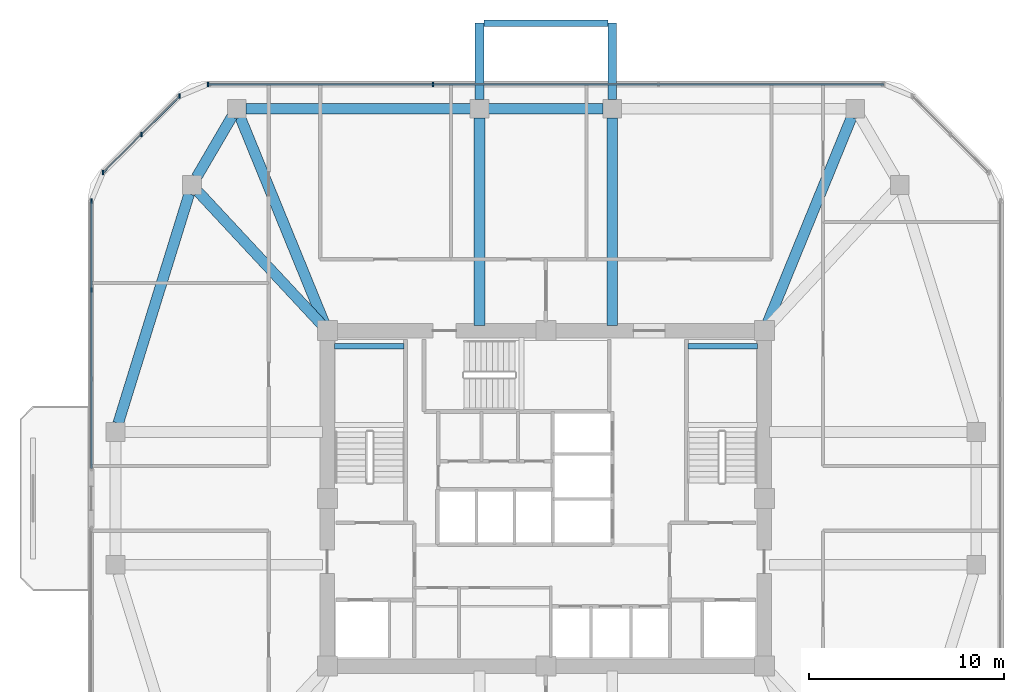
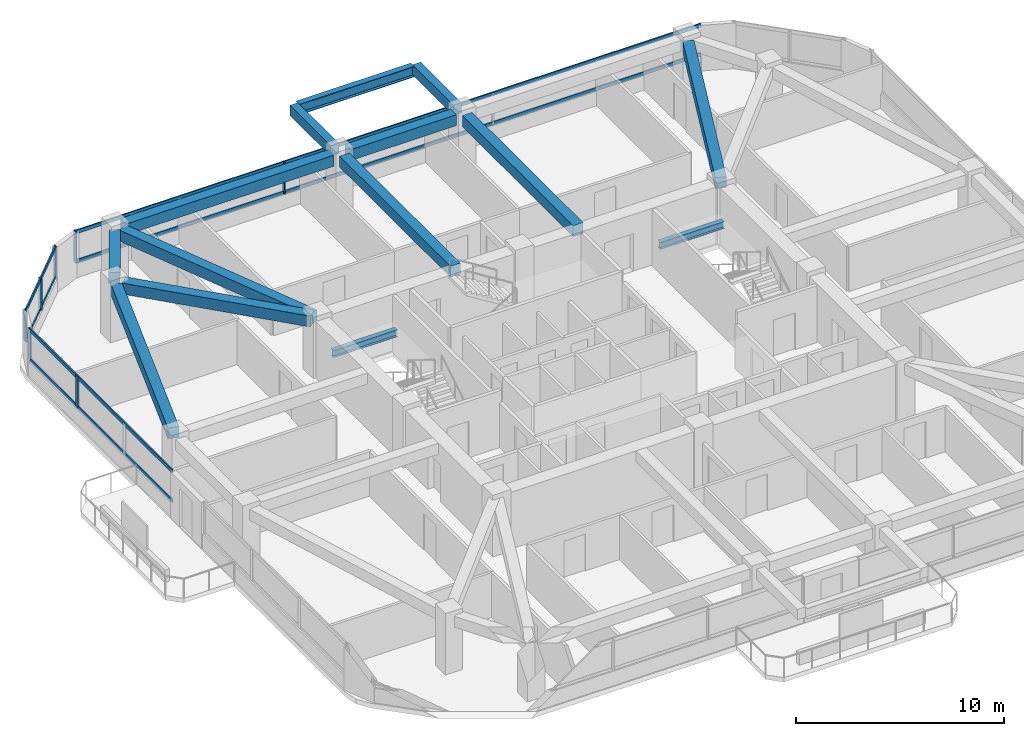
# One storey, part 4 of 12: 14 beams, 13 members, 3 elements without a shape of their own.
"""IFC4 building model written with IfcOpenShell, lengths in metres."""

import ifcopenshell
import ifcopenshell.guid

model = None  # the IFC model being written
_history = None  # IfcOwnerHistory: only IFC2X3 demands one
_inside = {}  # id of a spatial element -> (the spatial element, [elements in it])
_under = {}  # id of a project, library or spatial element -> (it, [spatial elements below it])
_declared = {}  # id of a project -> (the project, [libraries it declares])
_typed = {}  # id of a type object -> (the type object, [elements of that type])
_made_of = {}  # id of a material, layer set ... -> (it, [elements and type objects made of it])


def new_model(schema):
    """Start an empty IFC model of exactly this schema.

    Asked for "IFC4X3", IfcOpenShell would pick the latest addendum, in which some entities
    have other attributes; the version numbers below select the first issue.
    IFC2X3 requires an IfcOwnerHistory on every rooted entity: one is made here for all.
    """
    global model, _history
    if schema == "IFC4X3":
        model = ifcopenshell.file(schema_version=(4, 3, 0, 0))
    else:
        model = ifcopenshell.file(schema=schema)
    _inside.clear()
    _under.clear()
    _declared.clear()
    _typed.clear()
    _made_of.clear()
    _history = None
    if model.schema == "IFC2X3":
        org = make("IfcOrganization", Name="unknown")
        user = make(
            "IfcPersonAndOrganization",
            ThePerson=make("IfcPerson", FamilyName="unknown"),
            TheOrganization=org,
        )
        app = make(
            "IfcApplication",
            ApplicationDeveloper=org,
            Version="unknown",
            ApplicationFullName="unknown",
            ApplicationIdentifier="unknown",
        )
        _history = make(
            "IfcOwnerHistory",
            OwningUser=user,
            OwningApplication=app,
            ChangeAction="ADDED",
            CreationDate=0,
        )
    return model


def make(cls, **values):
    """One entity of the class cls with the attributes given. An attribute that is None is left unset."""
    return model.create_entity(
        cls, **{name: value for name, value in values.items() if value is not None}
    )


def rooted(cls, **values):
    """An entity with a GlobalId (a new one), such as an element, a storey or a relation."""
    return make(cls, GlobalId=ifcopenshell.guid.new(), OwnerHistory=_history, **values)


def si_unit(unit_type, name, prefix=None):
    """IfcSIUnit, for example si_unit("LENGTHUNIT", "METRE", prefix="MILLI")."""
    return make("IfcSIUnit", UnitType=unit_type, Prefix=prefix, Name=name)


def derived_unit(unit_type, elements):
    """IfcDerivedUnit: a product of units, each with its exponent."""
    return make(
        "IfcDerivedUnit",
        Elements=[
            make("IfcDerivedUnitElement", Unit=unit, Exponent=power)
            for unit, power in elements
        ],
        UnitType=unit_type,
    )


def assignment(units):
    """IfcUnitAssignment: the units of a project."""
    return None if units is None else make("IfcUnitAssignment", Units=units)


def point(xyz):
    """IfcCartesianPoint."""
    return None if xyz is None else make("IfcCartesianPoint", Coordinates=xyz)


def direction(xyz):
    """IfcDirection."""
    return None if xyz is None else make("IfcDirection", DirectionRatios=xyz)


def frame(location, z_axis=None, x_axis=None):
    """IfcAxis2Placement3D, a coordinate frame: its origin and axes. An axis left out is left unset."""
    return make(
        "IfcAxis2Placement3D",
        Location=point(location),
        Axis=direction(z_axis),
        RefDirection=direction(x_axis),
    )


def frame_2d(location, x_axis=None):
    """IfcAxis2Placement2D, a coordinate frame in the plane: its origin and x axis."""
    return make(
        "IfcAxis2Placement2D", Location=point(location), RefDirection=direction(x_axis)
    )


def origin():
    """The frame at (0, 0, 0) with its axes left unset."""
    return frame((0.0, 0.0, 0.0))


def origin_2d():
    """The frame at (0, 0) in the plane with its x axis left unset."""
    return frame_2d((0.0, 0.0))


def place(relative_to, where):
    """IfcLocalPlacement: puts the frame where relative to a parent placement (None: the world)."""
    return make(
        "IfcLocalPlacement", PlacementRelTo=relative_to, RelativePlacement=where
    )


def context(
    kind, dimensions, precision=None, world=None, true_north=None, identifier=None
):
    """IfcGeometricRepresentationContext, for example the 3D "Model" context."""
    return make(
        "IfcGeometricRepresentationContext",
        ContextIdentifier=identifier,
        ContextType=kind,
        CoordinateSpaceDimension=dimensions,
        Precision=precision,
        WorldCoordinateSystem=world,
        TrueNorth=true_north,
    )


def subcontext(parent, identifier, kind, view, scale=None):
    """IfcGeometricRepresentationSubContext, for example "Body" below "Model"."""
    return make(
        "IfcGeometricRepresentationSubContext",
        ContextIdentifier=identifier,
        ContextType=kind,
        ParentContext=parent,
        TargetScale=scale,
        TargetView=view,
    )


def project(units=None, contexts=None):
    """IfcProject with its units and contexts."""
    return rooted(
        "IfcProject",
        Name="project",
        RepresentationContexts=contexts,
        UnitsInContext=assignment(units),
    )


def spatial(cls, under=None, at=None, **own):
    """A site, building, storey or space (cls), placed at a placement, below another one or the project."""
    s = rooted(cls, ObjectPlacement=at, **own)
    if under is not None:
        _under.setdefault(under.id(), (under, []))[1].append(s)
    return s


def profile(cls, at=None, kind="AREA", **sizes):
    """A parametric profile (cls). Its sizes go by their IFC names, for example OverallWidth=200.0."""
    return make(cls, ProfileType=kind, Position=at, **sizes)


def rectangle(**sizes):
    """IfcRectangleProfileDef."""
    return profile("IfcRectangleProfileDef", **sizes)


def i_section(**sizes):
    """IfcIShapeProfileDef."""
    return profile("IfcIShapeProfileDef", **sizes)


def extrude(swept, where, along, depth):
    """IfcExtrudedAreaSolid: the profile swept, set in the frame where, extruded along a direction by depth."""
    return make(
        "IfcExtrudedAreaSolid",
        SweptArea=swept,
        Position=where,
        ExtrudedDirection=direction(along),
        Depth=depth,
    )


def shape(context_of_items, identifier, shape_type, items):
    """IfcShapeRepresentation: the items that make up one representation, for example the "Body"."""
    return make(
        "IfcShapeRepresentation",
        ContextOfItems=context_of_items,
        RepresentationIdentifier=identifier,
        RepresentationType=shape_type,
        Items=items,
    )


def material(Name=None, Category=None):
    """IfcMaterial."""
    return make("IfcMaterial", Name=Name, Category=Category)


def material_profile(
    of_material, cross_section, Name=None, Category=None, Priority=None
):
    """IfcMaterialProfile: a cross section and its material."""
    return make(
        "IfcMaterialProfile",
        Name=Name,
        Material=of_material,
        Profile=cross_section,
        Priority=Priority,
        Category=Category,
    )


def profile_set(profiles, Name=None, composite=None):
    """IfcMaterialProfileSet."""
    return make(
        "IfcMaterialProfileSet",
        Name=Name,
        MaterialProfiles=profiles,
        CompositeProfile=composite,
    )


def made_of(thing, what):
    """Note that an element or type object is made of a material, layer set ...; save() writes the relation."""
    if what is not None:
        _made_of.setdefault(what.id(), (what, []))[1].append(thing)
    return thing


def type_object(cls, material=None, **own):
    """A type object (cls), such as IfcWallType, which elements share."""
    return made_of(rooted(cls, **own), material)


def element(
    cls,
    number,
    at=None,
    inside=None,
    cuts=None,
    type_object=None,
    material=None,
    context=None,
    identifier="Body",
    shape_type=None,
    held_by="IfcProductDefinitionShape",
    body=None,
    shapes=None,
    **own,
):
    """One element of the class cls, such as IfcWall. Its Tag is "e" and its number.

    at: its placement. inside: the storey or other place that contains it. cuts: it is an
    opening in that element (IfcRelVoidsElement). A single representation is given by context,
    identifier, shape_type and body (its items); several are given by shapes. held_by: the class
    of the entity that holds the representations. save() writes the other relations.
    """
    e = rooted(cls, Tag="e%d" % number, ObjectPlacement=at, **own)
    if body is not None:
        shapes = [shape(context, identifier, shape_type, body)]
    if shapes is not None:
        e.Representation = make(held_by, Representations=shapes)
    if inside is not None:
        _inside.setdefault(inside.id(), (inside, []))[1].append(e)
    if cuts is not None:
        rooted(
            "IfcRelVoidsElement", RelatingBuildingElement=cuts, RelatedOpeningElement=e
        )
    if type_object is not None:
        _typed.setdefault(type_object.id(), (type_object, []))[1].append(e)
    return made_of(e, material)


def aggregate(whole, parts):
    """IfcRelAggregates: a whole, such as a stair, and the parts it consists of."""
    return rooted("IfcRelAggregates", RelatingObject=whole, RelatedObjects=parts)


def save(model, path):
    """Write the relations noted so far, then the file.

    IfcRelAggregates (storeys below a building ...), IfcRelContainedInSpatialStructure (elements
    in a storey), IfcRelDefinesByType, IfcRelAssociatesMaterial and IfcRelDeclares: one each for
    every whole, place, type object, material and project.
    """
    for whole, parts in _under.values():
        aggregate(whole, parts)
    for where, things in _inside.values():
        rooted(
            "IfcRelContainedInSpatialStructure",
            RelatedElements=things,
            RelatingStructure=where,
        )
    for kind, things in _typed.values():
        rooted("IfcRelDefinesByType", RelatedObjects=things, RelatingType=kind)
    for what, things in _made_of.values():
        rooted("IfcRelAssociatesMaterial", RelatedObjects=things, RelatingMaterial=what)
    for by, libraries in _declared.values():
        rooted("IfcRelDeclares", RelatingContext=by, RelatedDefinitions=libraries)
    model.write(path)


model = new_model("IFC4")

# Units and contexts
model_context = context("Model", 3, precision=1e-05, world=origin(), true_north=direction((0.0, 1.0)))
body_context = subcontext(model_context, "Body", "Model", "MODEL_VIEW")
ifc_project = project(units=[si_unit("LENGTHUNIT", "METRE"), si_unit("AREAUNIT", "SQUARE_METRE"), si_unit("VOLUMEUNIT", "CUBIC_METRE"), si_unit("PLANEANGLEUNIT", "RADIAN"), si_unit("MASSUNIT", "GRAM", prefix="KILO"), derived_unit("THERMALTRANSMITTANCEUNIT", [(si_unit("POWERUNIT", "WATT"), 1), (si_unit("LENGTHUNIT", "METRE"), -2), (si_unit("THERMODYNAMICTEMPERATUREUNIT", "KELVIN"), -1)])], contexts=[model_context])

# Site, building, storey
site_placement = place(None, origin())
site = spatial("IfcSite", under=ifc_project, at=site_placement, CompositionType="ELEMENT")
building_placement = place(site_placement, origin())
building = spatial("IfcBuilding", under=site, at=building_placement, Name="Koralith Skygarden Medical Center", CompositionType="ELEMENT")
storey_placement = place(building_placement, frame((0.0, 0.0, 149.219970703125)))
storey = spatial("IfcBuildingStorey", under=building, at=storey_placement, Name="L38", CompositionType="ELEMENT", Elevation=149.219970703125)

# Curtain wall, members
ifc_material_1 = material(Name="Clear Laminated Glass", Category="glass")
curtain_wall_type = type_object("IfcCurtainWallType", Name="CW-4 Zone 3 Waist High-Wind Curtain Wall", PredefinedType="NOTDEFINED", material=ifc_material_1)
curtain_wall_1_placement = place(storey_placement, origin())
curtain_wall_1 = element("IfcCurtainWall", 1, at=curtain_wall_1_placement, inside=storey, type_object=curtain_wall_type, Name="Curtain Wall CW-L38-N", PredefinedType="NOTDEFINED")
ifc_material_2 = material(Name="Aluminium 6063-T6", Category="aluminium")
ifc_material_profile_1 = material_profile(ifc_material_2, rectangle(XDim=0.076904296875, YDim=0.22998046875, at=origin_2d()), Name="MUL77X230")
ifc_profile_set_1 = profile_set([ifc_material_profile_1], Name="Aluminium 6063-T6")
member_type_1 = type_object("IfcMemberType", Name="CW-4 Extruded Mullion 77x230", PredefinedType="MULLION", material=ifc_profile_set_1)
member_1_placement = place(storey_placement, frame((31.22412109375, 47.1201171875, 0.85009765625), z_axis=(0.0, 0.0, 1.0), x_axis=(1.0, 0.0, 0.0)))
member_1 = element("IfcMember", 2, at=member_1_placement, type_object=member_type_1, Name="CW-L38-N Mullion 3", PredefinedType="MULLION", context=body_context, shape_type="SweptSolid", body=[
    extrude(rectangle(XDim=0.076904296875, YDim=0.22998046875, at=origin_2d()), origin(), (0.0, 0.0, 1.0), 1.81982421875),
])
member_2_placement = place(storey_placement, frame((19.6708984375, 47.1201171875, 0.85009765625), z_axis=(0.0, 0.0, 1.0), x_axis=(1.0, 0.0, 0.0)))
member_2 = element("IfcMember", 3, at=member_2_placement, type_object=member_type_1, Name="CW-L38-N Mullion 4", PredefinedType="MULLION", context=body_context, shape_type="SweptSolid", body=[
    extrude(rectangle(XDim=0.076904296875, YDim=0.22998046875, at=origin_2d()), origin(), (0.0, 0.0, 1.0), 1.81982421875),
])

curtain_wall_2_placement = place(storey_placement, origin())
curtain_wall_2 = element("IfcCurtainWall", 4, at=curtain_wall_2_placement, inside=storey, type_object=curtain_wall_type, Name="Curtain Wall CW-L38-NW", PredefinedType="NOTDEFINED")
member_3_placement = place(storey_placement, frame((18.219970703125, 46.51904296875, 0.85009765625), z_axis=(0.0, 0.0, 1.0), x_axis=(1.0, 0.0, 0.0)))
member_3 = element("IfcMember", 5, at=member_3_placement, type_object=member_type_1, Name="CW-L38-NW Mullion 1", PredefinedType="MULLION", context=body_context, shape_type="SweptSolid", body=[
    extrude(rectangle(XDim=0.076904296875, YDim=0.22998046875, at=origin_2d()), origin(), (0.0, 0.0, 1.0), 1.81982421875),
])
member_4_placement = place(storey_placement, frame((16.258056640625, 44.556884765625, 0.85009765625), z_axis=(0.0, 0.0, 1.0), x_axis=(1.0, 0.0, 0.0)))
member_4 = element("IfcMember", 6, at=member_4_placement, type_object=member_type_1, Name="CW-L38-NW Mullion 2", PredefinedType="MULLION", context=body_context, shape_type="SweptSolid", body=[
    extrude(rectangle(XDim=0.076904296875, YDim=0.22998046875, at=origin_2d()), origin(), (0.0, 0.0, 1.0), 1.81982421875),
])
member_5_placement = place(storey_placement, frame((14.297119140625, 42.595947265625, 0.85009765625), z_axis=(0.0, 0.0, 1.0), x_axis=(1.0, 0.0, 0.0)))
member_5 = element("IfcMember", 7, at=member_5_placement, type_object=member_type_1, Name="CW-L38-NW Mullion 3", PredefinedType="MULLION", context=body_context, shape_type="SweptSolid", body=[
    extrude(rectangle(XDim=0.076904296875, YDim=0.22998046875, at=origin_2d()), origin(), (0.0, 0.0, 1.0), 1.81982421875),
])

curtain_wall_3_placement = place(storey_placement, origin())
curtain_wall_3 = element("IfcCurtainWall", 8, at=curtain_wall_3_placement, inside=storey, type_object=curtain_wall_type, Name="Curtain Wall CW-L38-W-L", PredefinedType="NOTDEFINED")
member_6_placement = place(storey_placement, frame((13.696044921875, 41.14501953125, 0.85009765625), z_axis=(0.0, 0.0, 1.0), x_axis=(1.0, 0.0, 0.0)))
member_6 = element("IfcMember", 9, at=member_6_placement, type_object=member_type_1, Name="CW-L38-W-L Mullion 1", PredefinedType="MULLION", context=body_context, shape_type="SweptSolid", body=[
    extrude(rectangle(XDim=0.076904296875, YDim=0.22998046875, at=origin_2d()), origin(), (0.0, 0.0, 1.0), 1.81982421875),
])
member_7_placement = place(storey_placement, frame((13.696044921875, 36.576904296875, 0.85009765625), z_axis=(0.0, 0.0, 1.0), x_axis=(1.0, 0.0, 0.0)))
member_7 = element("IfcMember", 10, at=member_7_placement, type_object=member_type_1, Name="CW-L38-W-L Mullion 2", PredefinedType="MULLION", context=body_context, shape_type="SweptSolid", body=[
    extrude(rectangle(XDim=0.076904296875, YDim=0.22998046875, at=origin_2d()), origin(), (0.0, 0.0, 1.0), 1.81982421875),
])

# Member
ifc_material_profile_2 = material_profile(ifc_material_2, rectangle(XDim=0.072021484375, YDim=0.20703125, at=origin_2d()), Name="TRN72X207")
ifc_profile_set_2 = profile_set([ifc_material_profile_2], Name="Aluminium 6063-T6")
member_type_2 = type_object("IfcMemberType", Name="CW-4 Thermal Transom 72x207", PredefinedType="USERDEFINED", material=ifc_profile_set_2)
member_8_placement = place(storey_placement, frame((54.3291015625, 47.1201171875, 0.900146484375), z_axis=(-1.0, 0.0, 0.0), x_axis=(0.0, -1.0, 0.0)))
member_8 = element("IfcMember", 11, at=member_8_placement, type_object=member_type_2, Name="CW-L38-N Transom 1", ObjectType="TRANSOM", PredefinedType="USERDEFINED", context=body_context, shape_type="SweptSolid", body=[
    extrude(rectangle(XDim=0.072021484375, YDim=0.20703125, at=origin_2d()), origin(), (0.0, 0.0, 1.0), 34.658203125),
])

member_9_placement = place(storey_placement, frame((54.3291015625, 47.1201171875, 2.6201171875), z_axis=(-1.0, 0.0, 0.0), x_axis=(0.0, -1.0, 0.0)))
member_9 = element("IfcMember", 12, at=member_9_placement, type_object=member_type_2, Name="CW-L38-N Transom 2", ObjectType="TRANSOM", PredefinedType="USERDEFINED", context=body_context, shape_type="SweptSolid", body=[
    extrude(rectangle(XDim=0.072021484375, YDim=0.20703125, at=origin_2d()), origin(), (0.0, 0.0, 1.0), 34.658203125),
])

aggregate(curtain_wall_1, [member_1, member_2, member_8, member_9])

member_10_placement = place(storey_placement, frame((18.219970703125, 46.51904296875, 0.900146484375), z_axis=(-0.707084777957, -0.707128783731, 0.0), x_axis=(0.707128783731, -0.707084777957, 0.0)))
member_10 = element("IfcMember", 13, at=member_10_placement, type_object=member_type_2, Name="CW-L38-NW Transom 1", ObjectType="TRANSOM", PredefinedType="USERDEFINED", context=body_context, shape_type="SweptSolid", body=[
    extrude(rectangle(XDim=0.072021484375, YDim=0.20703125, at=origin_2d()), origin(), (0.0, 0.0, 1.0), 5.5478515625),
])

member_11_placement = place(storey_placement, frame((18.219970703125, 46.51904296875, 2.6201171875), z_axis=(-0.707084777957, -0.707128783731, 0.0), x_axis=(0.707128783731, -0.707084777957, 0.0)))
member_11 = element("IfcMember", 14, at=member_11_placement, type_object=member_type_2, Name="CW-L38-NW Transom 2", ObjectType="TRANSOM", PredefinedType="USERDEFINED", context=body_context, shape_type="SweptSolid", body=[
    extrude(rectangle(XDim=0.072021484375, YDim=0.20703125, at=origin_2d()), origin(), (0.0, 0.0, 1.0), 5.5478515625),
])

aggregate(curtain_wall_2, [member_3, member_4, member_5, member_10, member_11])

member_12_placement = place(storey_placement, frame((13.696044921875, 41.14501953125, 0.900146484375), z_axis=(0.0, -1.0, 0.0), x_axis=(1.0, 0.0, 0.0)))
member_12 = element("IfcMember", 15, at=member_12_placement, type_object=member_type_2, Name="CW-L38-W-L Transom 1", ObjectType="TRANSOM", PredefinedType="USERDEFINED", context=body_context, shape_type="SweptSolid", body=[
    extrude(rectangle(XDim=0.072021484375, YDim=0.20703125, at=origin_2d()), origin(), (0.0, 0.0, 1.0), 13.705078125),
])

member_13_placement = place(storey_placement, frame((13.696044921875, 41.14501953125, 2.6201171875), z_axis=(0.0, -1.0, 0.0), x_axis=(1.0, 0.0, 0.0)))
member_13 = element("IfcMember", 16, at=member_13_placement, type_object=member_type_2, Name="CW-L38-W-L Transom 2", ObjectType="TRANSOM", PredefinedType="USERDEFINED", context=body_context, shape_type="SweptSolid", body=[
    extrude(rectangle(XDim=0.072021484375, YDim=0.20703125, at=origin_2d()), origin(), (0.0, 0.0, 1.0), 13.705078125),
])

aggregate(curtain_wall_3, [member_6, member_7, member_12, member_13])

# Beams
ifc_material_3 = material(Name="Steel ASTM A992 Grade 50", Category="steel")
ifc_material_profile_3 = material_profile(ifc_material_3, i_section(OverallWidth=0.326904296875, OverallDepth=0.6220703125, WebThickness=0.015380859375, FlangeThickness=0.0244140625, at=origin_2d()), Name="W24X131")
ifc_profile_set_3 = profile_set([ifc_material_profile_3], Name="Steel ASTM A992 Grade 50")
beam_type_1 = type_object("IfcBeamType", Name="Cantilever Tie Beam W24X131", PredefinedType="BEAM", material=ifc_profile_set_3)
beam_1_placement = place(storey_placement, frame((33.820068359375, 50.260009765625, 3.029052734375), z_axis=(1.0, 0.0, 0.0), x_axis=(0.0, 1.0, 0.0)))
element("IfcBeam", 17, at=beam_1_placement, inside=storey, type_object=beam_type_1, Name="L39 N Balcony Tip Tie Beam", PredefinedType="BEAM", context=body_context, shape_type="SweptSolid", body=[
    extrude(i_section(OverallWidth=0.326904296875, OverallDepth=0.6220703125, WebThickness=0.015380859375, FlangeThickness=0.0244140625, at=origin_2d()), origin(), (0.0, 0.0, 1.0), 6.35986328125),
])
ifc_material_profile_4 = material_profile(ifc_material_3, i_section(OverallWidth=0.260009765625, OverallDepth=0.4150390625, WebThickness=0.010009765625, FlangeThickness=0.016845703125, at=origin_2d()), Name="W16X67")
ifc_profile_set_4 = profile_set([ifc_material_profile_4], Name="Steel ASTM A992 Grade 50")
beam_type_2 = type_object("IfcBeamType", Name="Clinical Floor Joist W16X67", PredefinedType="JOIST", material=ifc_profile_set_4)
for number, where, z_axis, x_axis, name in (
    (18, (26.155029296875, 33.699951171875, 1.39306640625), (1.0, 0.0, 0.0), (0.0, 1.0, 0.0), "L38 Stair ST1 Half-Landing Support Beam 1B"),
    (19, (44.280029296875, 33.699951171875, 1.39306640625), (1.0, 0.0, 0.0), (0.0, 1.0, 0.0), "L38 Stair ST2 Half-Landing Support Beam 1B"),
):
    element("IfcBeam", number, at=place(storey_placement, frame(where, z_axis=z_axis, x_axis=x_axis)), inside=storey, type_object=beam_type_2, Name=name, PredefinedType="JOIST", context=body_context, shape_type="SweptSolid", body=[
        extrude(i_section(OverallWidth=0.260009765625, OverallDepth=0.4150390625, WebThickness=0.010009765625, FlangeThickness=0.016845703125, at=origin_2d()), origin(), (0.0, 0.0, 1.0), 3.56494140625),
    ])
ifc_material_4 = material(Name="Concrete C45/55", Category="concrete")
ifc_material_profile_5 = material_profile(ifc_material_4, rectangle(XDim=0.449951171875, YDim=0.60009765625, at=origin_2d()), Name="RCB450X600")
ifc_profile_set_5 = profile_set([ifc_material_profile_5], Name="Concrete C45/55")
beam_type_3 = type_object("IfcBeamType", Name="Planted Balcony Cantilever Beam RCB450X600", PredefinedType="BEAM", material=ifc_profile_set_5)
for number, where, z_axis, x_axis, name in (
    (20, (33.60009765625, 46.340087890625, 3.0400390625), (0.0, 1.0, 0.0), (-1.0, 0.0, 0.0), "L39 N Balcony Cantilever Beam A"),
    (21, (40.39990234375, 46.340087890625, 3.0400390625), (0.0, 1.0, 0.0), (-1.0, 0.0, 0.0), "L39 N Balcony Cantilever Beam B"),
):
    element("IfcBeam", number, at=place(storey_placement, frame(where, z_axis=z_axis, x_axis=x_axis)), inside=storey, type_object=beam_type_3, Name=name, PredefinedType="BEAM", context=body_context, shape_type="SweptSolid", body=[
        extrude(rectangle(XDim=0.449951171875, YDim=0.60009765625, at=origin_2d()), origin(), (0.0, 0.0, 1.0), 3.919921875),
    ])
ifc_material_profile_6 = material_profile(ifc_material_4, rectangle(XDim=0.550048828125, YDim=0.639892578125, at=origin_2d()), Name="RCB550X640")
ifc_profile_set_6 = profile_set([ifc_material_profile_6], Name="Concrete C45/55")
beam_type_4 = type_object("IfcBeamType", Name="Radial Collector Beam RCB550X640", PredefinedType="BEAM", material=ifc_profile_set_6)
beam_2_placement = place(storey_placement, frame((48.294921875, 34.73095703125, 3.0), z_axis=(0.378344544364, 0.92566484526, 0.0), x_axis=(-0.92566484526, 0.378344544364, 0.0)))
element("IfcBeam", 22, at=beam_2_placement, inside=storey, type_object=beam_type_4, Name="L38 Radial Collector Beam RB-11", PredefinedType="BEAM", context=body_context, shape_type="SweptSolid", body=[
    extrude(rectangle(XDim=0.550048828125, YDim=0.639892578125, at=origin_2d()), origin(), (0.0, 0.0, 1.0), 11.574462890625),
])
for number, where, z_axis, x_axis, name in (
    (23, (40.39990234375, 34.75, 3.0), (0.0, 1.0, 0.0), (-1.0, 0.0, 0.0), "L38 Radial Collector Beam RB-12"),
    (24, (33.60009765625, 34.75, 3.0), (0.0, 1.0, 0.0), (-1.0, 0.0, 0.0), "L38 Radial Collector Beam RB-13"),
):
    element("IfcBeam", number, at=place(storey_placement, frame(where, z_axis=z_axis, x_axis=x_axis)), inside=storey, type_object=beam_type_4, Name=name, PredefinedType="BEAM", context=body_context, shape_type="SweptSolid", body=[
        extrude(rectangle(XDim=0.550048828125, YDim=0.639892578125, at=origin_2d()), origin(), (0.0, 0.0, 1.0), 10.659912109375),
    ])
beam_3_placement = place(storey_placement, frame((25.705078125, 34.73095703125, 3.0), z_axis=(-0.378344544364, 0.92566484526, 0.0), x_axis=(-0.92566484526, -0.378344544364, 0.0)))
element("IfcBeam", 25, at=beam_3_placement, inside=storey, type_object=beam_type_4, Name="L38 Radial Collector Beam RB-14", PredefinedType="BEAM", context=body_context, shape_type="SweptSolid", body=[
    extrude(rectangle(XDim=0.550048828125, YDim=0.639892578125, at=origin_2d()), origin(), (0.0, 0.0, 1.0), 11.574462890625),
])
beam_4_placement = place(storey_placement, frame((25.6298828125, 34.68310546875, 3.0), z_axis=(-0.681369011591, 0.731940072713, 0.0), x_axis=(-0.731940072713, -0.681369011591, 0.0)))
element("IfcBeam", 26, at=beam_4_placement, inside=storey, type_object=beam_type_4, Name="L38 Radial Collector Beam RB-15", PredefinedType="BEAM", context=body_context, shape_type="SweptSolid", body=[
    extrude(rectangle(XDim=0.550048828125, YDim=0.639892578125, at=origin_2d()), origin(), (0.0, 0.0, 1.0), 9.471923828125),
])
ifc_material_profile_7 = material_profile(ifc_material_4, rectangle(XDim=0.550048828125, YDim=0.639892578125, at=origin_2d()), Name="RCB550X640")
ifc_profile_set_7 = profile_set([ifc_material_profile_7], Name="Concrete C45/55")
beam_type_5 = type_object("IfcBeamType", Name="Zone 2-3 Spandrel Beam RCB550X640", PredefinedType="SPANDREL", material=ifc_profile_set_7)
beam_5_placement = place(storey_placement, frame((39.929931640625, 45.8798828125, 3.0), z_axis=(-1.0, 0.0, 0.0), x_axis=(0.0, -1.0, 0.0)))
element("IfcBeam", 27, at=beam_5_placement, inside=storey, type_object=beam_type_5, Name="L38 Perimeter Spandrel Beam SP-12", PredefinedType="SPANDREL", context=body_context, shape_type="SweptSolid", body=[
    extrude(rectangle(XDim=0.550048828125, YDim=0.639892578125, at=origin_2d()), origin(), (0.0, 0.0, 1.0), 5.85986328125),
])
beam_6_placement = place(storey_placement, frame((33.1298828125, 45.8798828125, 3.0), z_axis=(-1.0, 0.0, 0.0), x_axis=(0.0, -1.0, 0.0)))
element("IfcBeam", 28, at=beam_6_placement, inside=storey, type_object=beam_type_5, Name="L38 Perimeter Spandrel Beam SP-13", PredefinedType="SPANDREL", context=body_context, shape_type="SweptSolid", body=[
    extrude(rectangle(XDim=0.550048828125, YDim=0.639892578125, at=origin_2d()), origin(), (0.0, 0.0, 1.0), 11.511962890625),
])
beam_7_placement = place(storey_placement, frame((20.910888671875, 45.47412109375, 3.0), z_axis=(-0.504861391295, -0.863200426077, 0.0), x_axis=(0.863200426077, -0.504861391295, 0.0)))
element("IfcBeam", 29, at=beam_7_placement, inside=storey, type_object=beam_type_5, Name="L38 Perimeter Spandrel Beam SP-14", PredefinedType="SPANDREL", context=body_context, shape_type="SweptSolid", body=[
    extrude(rectangle(XDim=0.550048828125, YDim=0.639892578125, at=origin_2d()), origin(), (0.0, 0.0, 1.0), 3.600830078125),
])
beam_8_placement = place(storey_placement, frame((18.717041015625, 41.510986328125, 3.0), z_axis=(-0.295793585147, -0.955251880389, 0.0), x_axis=(0.955251880389, -0.295793585147, 0.0)))
element("IfcBeam", 30, at=beam_8_placement, inside=storey, type_object=beam_type_5, Name="L38 Perimeter Spandrel Beam SP-15", PredefinedType="SPANDREL", context=body_context, shape_type="SweptSolid", body=[
    extrude(rectangle(XDim=0.550048828125, YDim=0.639892578125, at=origin_2d()), origin(), (0.0, 0.0, 1.0), 12.31298828125),
])

save(model, "model.ifc")
